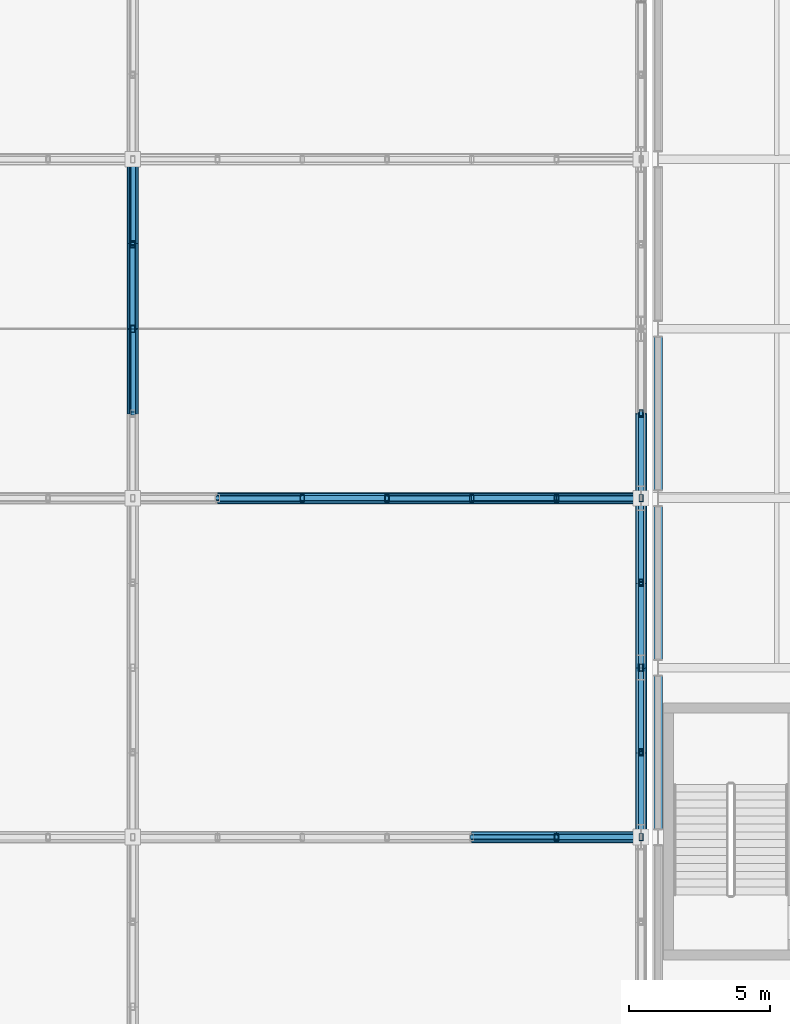
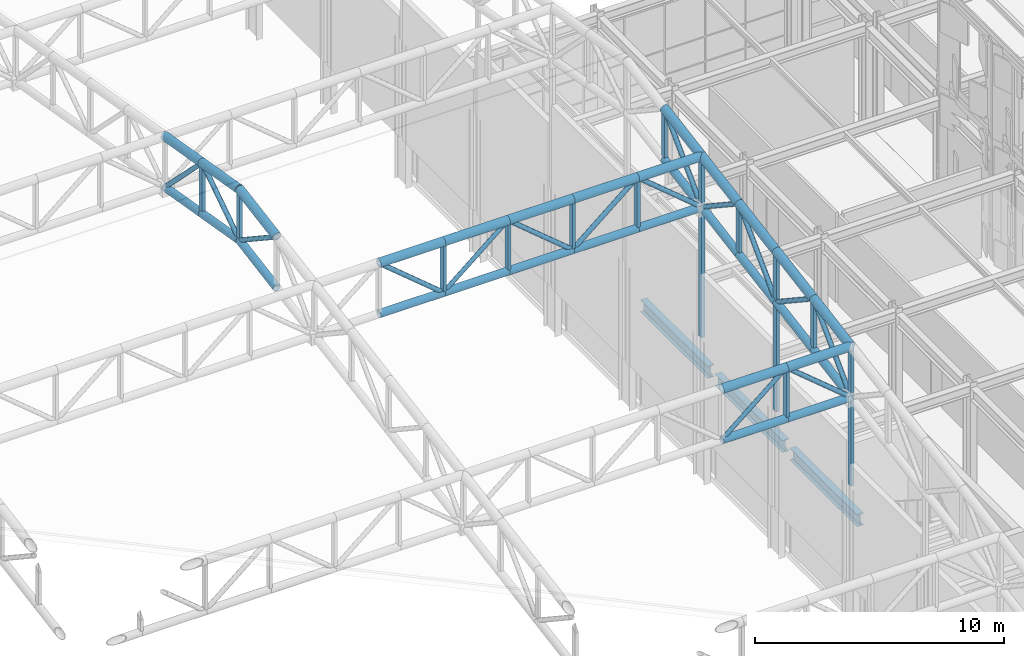
# One storey, part 117 of 239: 58 members, 3 beams.
"""IFC4 building model written with IfcOpenShell, lengths in metres."""

import ifcopenshell
import ifcopenshell.guid

model = None  # the IFC model being written
_history = None  # IfcOwnerHistory: only IFC2X3 demands one
_inside = {}  # id of a spatial element -> (the spatial element, [elements in it])
_under = {}  # id of a project, library or spatial element -> (it, [spatial elements below it])
_declared = {}  # id of a project -> (the project, [libraries it declares])
_typed = {}  # id of a type object -> (the type object, [elements of that type])
_made_of = {}  # id of a material, layer set ... -> (it, [elements and type objects made of it])


def new_model(schema):
    """Start an empty IFC model of exactly this schema.

    Asked for "IFC4X3", IfcOpenShell would pick the latest addendum, in which some entities
    have other attributes; the version numbers below select the first issue.
    IFC2X3 requires an IfcOwnerHistory on every rooted entity: one is made here for all.
    """
    global model, _history
    if schema == "IFC4X3":
        model = ifcopenshell.file(schema_version=(4, 3, 0, 0))
    else:
        model = ifcopenshell.file(schema=schema)
    _inside.clear()
    _under.clear()
    _declared.clear()
    _typed.clear()
    _made_of.clear()
    _history = None
    if model.schema == "IFC2X3":
        org = make("IfcOrganization", Name="unknown")
        user = make(
            "IfcPersonAndOrganization",
            ThePerson=make("IfcPerson", FamilyName="unknown"),
            TheOrganization=org,
        )
        app = make(
            "IfcApplication",
            ApplicationDeveloper=org,
            Version="unknown",
            ApplicationFullName="unknown",
            ApplicationIdentifier="unknown",
        )
        _history = make(
            "IfcOwnerHistory",
            OwningUser=user,
            OwningApplication=app,
            ChangeAction="ADDED",
            CreationDate=0,
        )
    return model


def make(cls, **values):
    """One entity of the class cls with the attributes given. An attribute that is None is left unset."""
    return model.create_entity(
        cls, **{name: value for name, value in values.items() if value is not None}
    )


def rooted(cls, **values):
    """An entity with a GlobalId (a new one), such as an element, a storey or a relation."""
    return make(cls, GlobalId=ifcopenshell.guid.new(), OwnerHistory=_history, **values)


def si_unit(unit_type, name, prefix=None):
    """IfcSIUnit, for example si_unit("LENGTHUNIT", "METRE", prefix="MILLI")."""
    return make("IfcSIUnit", UnitType=unit_type, Prefix=prefix, Name=name)


def assignment(units):
    """IfcUnitAssignment: the units of a project."""
    return None if units is None else make("IfcUnitAssignment", Units=units)


def point(xyz):
    """IfcCartesianPoint."""
    return None if xyz is None else make("IfcCartesianPoint", Coordinates=xyz)


def direction(xyz):
    """IfcDirection."""
    return None if xyz is None else make("IfcDirection", DirectionRatios=xyz)


def frame(location, z_axis=None, x_axis=None):
    """IfcAxis2Placement3D, a coordinate frame: its origin and axes. An axis left out is left unset."""
    return make(
        "IfcAxis2Placement3D",
        Location=point(location),
        Axis=direction(z_axis),
        RefDirection=direction(x_axis),
    )


def frame_2d(location, x_axis=None):
    """IfcAxis2Placement2D, a coordinate frame in the plane: its origin and x axis."""
    return make(
        "IfcAxis2Placement2D", Location=point(location), RefDirection=direction(x_axis)
    )


def origin():
    """The frame at (0, 0, 0) with its axes left unset."""
    return frame((0.0, 0.0, 0.0))


def origin_2d():
    """The frame at (0, 0) in the plane with its x axis left unset."""
    return frame_2d((0.0, 0.0))


def place(relative_to, where):
    """IfcLocalPlacement: puts the frame where relative to a parent placement (None: the world)."""
    return make(
        "IfcLocalPlacement", PlacementRelTo=relative_to, RelativePlacement=where
    )


def context(
    kind, dimensions, precision=None, world=None, true_north=None, identifier=None
):
    """IfcGeometricRepresentationContext, for example the 3D "Model" context."""
    return make(
        "IfcGeometricRepresentationContext",
        ContextIdentifier=identifier,
        ContextType=kind,
        CoordinateSpaceDimension=dimensions,
        Precision=precision,
        WorldCoordinateSystem=world,
        TrueNorth=true_north,
    )


def subcontext(parent, identifier, kind, view, scale=None):
    """IfcGeometricRepresentationSubContext, for example "Body" below "Model"."""
    return make(
        "IfcGeometricRepresentationSubContext",
        ContextIdentifier=identifier,
        ContextType=kind,
        ParentContext=parent,
        TargetScale=scale,
        TargetView=view,
    )


def project(units=None, contexts=None):
    """IfcProject with its units and contexts."""
    return rooted(
        "IfcProject",
        Name="project",
        RepresentationContexts=contexts,
        UnitsInContext=assignment(units),
    )


def spatial(cls, under=None, at=None, **own):
    """A site, building, storey or space (cls), placed at a placement, below another one or the project."""
    s = rooted(cls, ObjectPlacement=at, **own)
    if under is not None:
        _under.setdefault(under.id(), (under, []))[1].append(s)
    return s


def profile(cls, at=None, kind="AREA", **sizes):
    """A parametric profile (cls). Its sizes go by their IFC names, for example OverallWidth=200.0."""
    return make(cls, ProfileType=kind, Position=at, **sizes)


def hollow_rectangle(**sizes):
    """IfcRectangleHollowProfileDef."""
    return profile("IfcRectangleHollowProfileDef", **sizes)


def hollow_circle(**sizes):
    """IfcCircleHollowProfileDef."""
    return profile("IfcCircleHollowProfileDef", **sizes)


def i_section(**sizes):
    """IfcIShapeProfileDef."""
    return profile("IfcIShapeProfileDef", **sizes)


def extrude(swept, where, along, depth):
    """IfcExtrudedAreaSolid: the profile swept, set in the frame where, extruded along a direction by depth."""
    return make(
        "IfcExtrudedAreaSolid",
        SweptArea=swept,
        Position=where,
        ExtrudedDirection=direction(along),
        Depth=depth,
    )


def shape(context_of_items, identifier, shape_type, items):
    """IfcShapeRepresentation: the items that make up one representation, for example the "Body"."""
    return make(
        "IfcShapeRepresentation",
        ContextOfItems=context_of_items,
        RepresentationIdentifier=identifier,
        RepresentationType=shape_type,
        Items=items,
    )


def material(Name=None, Category=None):
    """IfcMaterial."""
    return make("IfcMaterial", Name=Name, Category=Category)


def material_profile(
    of_material, cross_section, Name=None, Category=None, Priority=None
):
    """IfcMaterialProfile: a cross section and its material."""
    return make(
        "IfcMaterialProfile",
        Name=Name,
        Material=of_material,
        Profile=cross_section,
        Priority=Priority,
        Category=Category,
    )


def profile_set(profiles, Name=None, composite=None):
    """IfcMaterialProfileSet."""
    return make(
        "IfcMaterialProfileSet",
        Name=Name,
        MaterialProfiles=profiles,
        CompositeProfile=composite,
    )


def made_of(thing, what):
    """Note that an element or type object is made of a material, layer set ...; save() writes the relation."""
    if what is not None:
        _made_of.setdefault(what.id(), (what, []))[1].append(thing)
    return thing


def type_object(cls, material=None, **own):
    """A type object (cls), such as IfcWallType, which elements share."""
    return made_of(rooted(cls, **own), material)


def element(
    cls,
    number,
    at=None,
    inside=None,
    cuts=None,
    type_object=None,
    material=None,
    context=None,
    identifier="Body",
    shape_type=None,
    held_by="IfcProductDefinitionShape",
    body=None,
    shapes=None,
    **own,
):
    """One element of the class cls, such as IfcWall. Its Tag is "e" and its number.

    at: its placement. inside: the storey or other place that contains it. cuts: it is an
    opening in that element (IfcRelVoidsElement). A single representation is given by context,
    identifier, shape_type and body (its items); several are given by shapes. held_by: the class
    of the entity that holds the representations. save() writes the other relations.
    """
    e = rooted(cls, Tag="e%d" % number, ObjectPlacement=at, **own)
    if body is not None:
        shapes = [shape(context, identifier, shape_type, body)]
    if shapes is not None:
        e.Representation = make(held_by, Representations=shapes)
    if inside is not None:
        _inside.setdefault(inside.id(), (inside, []))[1].append(e)
    if cuts is not None:
        rooted(
            "IfcRelVoidsElement", RelatingBuildingElement=cuts, RelatedOpeningElement=e
        )
    if type_object is not None:
        _typed.setdefault(type_object.id(), (type_object, []))[1].append(e)
    return made_of(e, material)


def aggregate(whole, parts):
    """IfcRelAggregates: a whole, such as a stair, and the parts it consists of."""
    return rooted("IfcRelAggregates", RelatingObject=whole, RelatedObjects=parts)


def save(model, path):
    """Write the relations noted so far, then the file.

    IfcRelAggregates (storeys below a building ...), IfcRelContainedInSpatialStructure (elements
    in a storey), IfcRelDefinesByType, IfcRelAssociatesMaterial and IfcRelDeclares: one each for
    every whole, place, type object, material and project.
    """
    for whole, parts in _under.values():
        aggregate(whole, parts)
    for where, things in _inside.values():
        rooted(
            "IfcRelContainedInSpatialStructure",
            RelatedElements=things,
            RelatingStructure=where,
        )
    for kind, things in _typed.values():
        rooted("IfcRelDefinesByType", RelatedObjects=things, RelatingType=kind)
    for what, things in _made_of.values():
        rooted("IfcRelAssociatesMaterial", RelatedObjects=things, RelatingMaterial=what)
    for by, libraries in _declared.values():
        rooted("IfcRelDeclares", RelatingContext=by, RelatedDefinitions=libraries)
    model.write(path)


model = new_model("IFC4")

# Units and contexts
model_context = context("Model", 3, precision=1e-05, world=origin(), true_north=direction((0.0, 1.0)))
body_context = subcontext(model_context, "Body", "Model", "MODEL_VIEW")
ifc_project = project(units=[si_unit("LENGTHUNIT", "METRE"), si_unit("AREAUNIT", "SQUARE_METRE"), si_unit("VOLUMEUNIT", "CUBIC_METRE"), si_unit("PLANEANGLEUNIT", "RADIAN"), si_unit("MASSUNIT", "GRAM", prefix="KILO")], contexts=[model_context])

# Site, building, storey
site_placement = place(None, origin())
site = spatial("IfcSite", under=ifc_project, at=site_placement, CompositionType="ELEMENT")
building_placement = place(site_placement, origin())
building = spatial("IfcBuilding", under=site, at=building_placement, Name="Kaldris Quays Convention Centre", CompositionType="ELEMENT")
storey_placement = place(building_placement, frame((0.0, 0.0, 11.39990234375)))
storey = spatial("IfcBuildingStorey", under=building, at=storey_placement, Name="L02", CompositionType="ELEMENT", Elevation=11.39990234375)

# Beams
ifc_material_1 = material(Name="Steel S355J2", Category="steel")
ifc_material_profile_1 = material_profile(ifc_material_1, i_section(OverallWidth=0.300048828125, OverallDepth=0.590087890625, WebThickness=0.012939453125, FlangeThickness=0.02490234375, FilletRadius=0.027099609375, at=origin_2d()), Name="HEA 600")
ifc_profile_set_1 = profile_set([ifc_material_profile_1], Name="Steel S355J2")
beam_type = type_object("IfcBeamType", Name="STRUCTURAL BEAM BM08", PredefinedType="BEAM", material=ifc_profile_set_1)
for number, where, z_axis, x_axis, name in (
    (1, (146.60009765625, 80.2939453125, 4.8681640625), (0.0, 1.0, 0.0), (-1.0, 0.0, 0.0), "L02 Girder BM08 72"),
    (2, (146.60009765625, 86.2939453125, 4.8681640625), (0.0, 1.0, 0.0), (-1.0, 0.0, 0.0), "L02 Girder BM08 73"),
    (3, (146.60009765625, 92.2939453125, 4.8681640625), (0.0, 1.0, 0.0), (-1.0, 0.0, 0.0), "L02 Girder BM08 74"),
):
    element("IfcBeam", number, at=place(storey_placement, frame(where, z_axis=z_axis, x_axis=x_axis)), inside=storey, type_object=beam_type, Name=name, PredefinedType="BEAM", context=body_context, shape_type="SweptSolid", body=[
        extrude(i_section(OverallWidth=0.300048828125, OverallDepth=0.590087890625, WebThickness=0.012939453125, FlangeThickness=0.02490234375, FilletRadius=0.027099609375, at=origin_2d()), origin(), (0.0, 0.0, 1.0), 5.412109375),
    ])

# Members
ifc_material_2 = material(Name="Steel S355J2H", Category="steel")
ifc_material_profile_2 = material_profile(ifc_material_2, hollow_circle(Radius=0.203125, WallThickness=0.01611328125, at=origin_2d()), Name="CHS 406.4x16")
ifc_profile_set_2 = profile_set([ifc_material_profile_2], Name="Steel S355J2H")
member_type_1 = type_object("IfcMemberType", Name="STRUCTURAL MEMBER SC01", PredefinedType="CHORD", material=ifc_profile_set_2)
for number, where, z_axis, x_axis, name in (
    (4, (140.0, 80.0, 13.7861328125), (1.0, 0.0, 0.0), (0.0, 1.0, 0.0), "SF-V1 Top Chord X 125"),
    (5, (143.0, 80.0, 13.7861328125), (1.0, 0.0, 0.0), (0.0, 1.0, 0.0), "SF-V1 Top Chord X 126"),
    (6, (131.0, 92.0, 15.84326171875), (1.0, 0.0, 0.0), (0.0, 1.0, 0.0), "SF-V1 Top Chord X 164"),
    (7, (134.0, 92.0, 15.84326171875), (1.0, 0.0, 0.0), (0.0, 1.0, 0.0), "SF-V1 Top Chord X 165"),
    (8, (137.0, 92.0, 15.84326171875), (1.0, 0.0, 0.0), (0.0, 1.0, 0.0), "SF-V1 Top Chord X 166"),
    (9, (140.0, 92.0, 15.84326171875), (1.0, 0.0, 0.0), (0.0, 1.0, 0.0), "SF-V1 Top Chord X 167"),
    (10, (143.0, 92.0, 15.84326171875), (1.0, 0.0, 0.0), (0.0, 1.0, 0.0), "SF-V1 Top Chord X 168"),
):
    element("IfcMember", number, at=place(storey_placement, frame(where, z_axis=z_axis, x_axis=x_axis)), inside=storey, type_object=member_type_1, Name=name, PredefinedType="CHORD", context=body_context, shape_type="SweptSolid", body=[
        extrude(hollow_circle(Radius=0.203125, WallThickness=0.01611328125, at=origin_2d()), origin(), (0.0, 0.0, 1.0), 3.0),
    ])
for number, where, z_axis, x_axis, name in (
    (11, (128.0, 95.0, 16.357666015625), (0.0, 0.98562912375, 0.168923741424), (-1.0, 0.0, 0.0), "SF-V1 Top Chord Y 518"),
    (12, (128.0, 98.0, 16.871826171875), (0.0, 0.98562912375, -0.168923741424), (-1.0, 0.0, 0.0), "SF-V1 Top Chord Y 519"),
    (13, (128.0, 101.0, 16.357666015625), (0.0, 0.985615766076, -0.169001661712), (-1.0, 0.0, 0.0), "SF-V1 Top Chord Y 520"),
    (14, (146.0, 80.0, 13.7861328125), (0.0, 0.985615766076, 0.169001661712), (-1.0, 0.0, 0.0), "SF-V1 Top Chord Y 541"),
    (15, (146.0, 83.0, 14.300537109375), (0.0, 0.98562912375, 0.168923741424), (-1.0, 0.0, 0.0), "SF-V1 Top Chord Y 542"),
    (16, (146.0, 86.0, 14.814697265625), (0.0, 0.985615766076, 0.169001661712), (-1.0, 0.0, 0.0), "SF-V1 Top Chord Y 543"),
    (17, (146.0, 89.0, 15.3291015625), (0.0, 0.98562912375, 0.168923741424), (-1.0, 0.0, 0.0), "SF-V1 Top Chord Y 544"),
    (18, (146.0, 92.0, 15.84326171875), (0.0, 0.985615766076, 0.169001661712), (-1.0, 0.0, 0.0), "SF-V1 Top Chord Y 545"),
):
    element("IfcMember", number, at=place(storey_placement, frame(where, z_axis=z_axis, x_axis=x_axis)), inside=storey, type_object=member_type_1, Name=name, PredefinedType="CHORD", context=body_context, shape_type="SweptSolid", body=[
        extrude(hollow_circle(Radius=0.203125, WallThickness=0.01611328125, at=origin_2d()), origin(), (0.0, 0.0, 1.0), 3.043701171875),
    ])
ifc_material_profile_3 = material_profile(ifc_material_2, hollow_circle(Radius=0.177734375, WallThickness=0.01611328125, at=origin_2d()), Name="CHS 355.6x16")
ifc_profile_set_3 = profile_set([ifc_material_profile_3], Name="Steel S355J2H")
member_type_2 = type_object("IfcMemberType", Name="STRUCTURAL MEMBER SC02", PredefinedType="CHORD", material=ifc_profile_set_3)
for number, where, z_axis, x_axis, name in (
    (19, (140.0, 80.0, 11.2861328125), (1.0, 0.0, 0.0), (0.0, 1.0, 0.0), "SF-V1 Bottom Chord X 125"),
    (20, (143.0, 80.0, 11.2861328125), (1.0, 0.0, 0.0), (0.0, 1.0, 0.0), "SF-V1 Bottom Chord X 126"),
    (21, (131.0, 92.0, 13.34326171875), (1.0, 0.0, 0.0), (0.0, 1.0, 0.0), "SF-V1 Bottom Chord X 164"),
    (22, (134.0, 92.0, 13.34326171875), (1.0, 0.0, 0.0), (0.0, 1.0, 0.0), "SF-V1 Bottom Chord X 165"),
    (23, (137.0, 92.0, 13.34326171875), (1.0, 0.0, 0.0), (0.0, 1.0, 0.0), "SF-V1 Bottom Chord X 166"),
    (24, (140.0, 92.0, 13.34326171875), (1.0, 0.0, 0.0), (0.0, 1.0, 0.0), "SF-V1 Bottom Chord X 167"),
    (25, (143.0, 92.0, 13.34326171875), (1.0, 0.0, 0.0), (0.0, 1.0, 0.0), "SF-V1 Bottom Chord X 168"),
):
    element("IfcMember", number, at=place(storey_placement, frame(where, z_axis=z_axis, x_axis=x_axis)), inside=storey, type_object=member_type_2, Name=name, PredefinedType="CHORD", context=body_context, shape_type="SweptSolid", body=[
        extrude(hollow_circle(Radius=0.177734375, WallThickness=0.01611328125, at=origin_2d()), origin(), (0.0, 0.0, 1.0), 3.0),
    ])
for number, where, z_axis, x_axis, name in (
    (26, (128.0, 95.0, 13.857666015625), (0.0, 0.98562912375, 0.168923741424), (-1.0, 0.0, 0.0), "SF-V1 Bottom Chord Y 518"),
    (27, (128.0, 98.0, 14.371826171875), (0.0, 0.98562912375, -0.168923741424), (-1.0, 0.0, 0.0), "SF-V1 Bottom Chord Y 519"),
    (28, (128.0, 101.0, 13.857666015625), (0.0, 0.985615766076, -0.169001661712), (-1.0, 0.0, 0.0), "SF-V1 Bottom Chord Y 520"),
    (29, (146.0, 80.0, 11.2861328125), (0.0, 0.985615766076, 0.169001661712), (-1.0, 0.0, 0.0), "SF-V1 Bottom Chord Y 541"),
    (30, (146.0, 83.0, 11.800537109375), (0.0, 0.98562912375, 0.168923741424), (-1.0, 0.0, 0.0), "SF-V1 Bottom Chord Y 542"),
    (31, (146.0, 86.0, 12.314697265625), (0.0, 0.985615766076, 0.169001661712), (-1.0, 0.0, 0.0), "SF-V1 Bottom Chord Y 543"),
    (32, (146.0, 89.0, 12.8291015625), (0.0, 0.98562912375, 0.168923741424), (-1.0, 0.0, 0.0), "SF-V1 Bottom Chord Y 544"),
    (33, (146.0, 92.0, 13.34326171875), (0.0, 0.985615766076, 0.169001661712), (-1.0, 0.0, 0.0), "SF-V1 Bottom Chord Y 545"),
):
    element("IfcMember", number, at=place(storey_placement, frame(where, z_axis=z_axis, x_axis=x_axis)), inside=storey, type_object=member_type_2, Name=name, PredefinedType="CHORD", context=body_context, shape_type="SweptSolid", body=[
        extrude(hollow_circle(Radius=0.177734375, WallThickness=0.01611328125, at=origin_2d()), origin(), (0.0, 0.0, 1.0), 3.043701171875),
    ])
ifc_material_profile_4 = material_profile(ifc_material_2, hollow_circle(Radius=0.109619140625, WallThickness=0.010009765625, at=origin_2d()), Name="CHS 219.1x10")
ifc_profile_set_4 = profile_set([ifc_material_profile_4], Name="Steel S355J2H")
member_type_3 = type_object("IfcMemberType", Name="STRUCTURAL MEMBER SWB1", PredefinedType="BRACE", material=ifc_profile_set_4)
for number, where, z_axis, x_axis, name in (
    (34, (146.0, 80.0, 11.2861328125), (-0.768221279597, 0.0, 0.640184399664), (0.0, -1.0, 0.0), "SF-V1 Web Diagonal X 126"),
    (35, (134.0, 92.0, 13.34326171875), (-0.768221279597, 0.0, 0.640184399664), (0.0, -1.0, 0.0), "SF-V1 Web Diagonal X 164"),
    (36, (140.0, 92.0, 13.34326171875), (-0.768221279597, 0.0, 0.640184399664), (0.0, -1.0, 0.0), "SF-V1 Web Diagonal X 166"),
    (37, (140.0, 92.0, 13.34326171875), (0.768221279597, 0.0, 0.640184399664), (0.0, 1.0, 0.0), "SF-V1 Web Diagonal X 167"),
    (38, (146.0, 92.0, 13.34326171875), (-0.768221279597, 0.0, 0.640184399664), (0.0, -1.0, 0.0), "SF-V1 Web Diagonal X 168"),
):
    element("IfcMember", number, at=place(storey_placement, frame(where, z_axis=z_axis, x_axis=x_axis)), inside=storey, type_object=member_type_3, Name=name, PredefinedType="BRACE", context=body_context, shape_type="SweptSolid", body=[
        extrude(hollow_circle(Radius=0.109619140625, WallThickness=0.010009765625, at=origin_2d()), origin(), (0.0, 0.0, 1.0), 3.905029296875),
    ])
for number, where, z_axis, x_axis, name in (
    (39, (128.0, 98.0, 14.371826171875), (0.0, -0.833862389808, 0.551972385962), (1.0, 0.0, 0.0), "SF-V1 Web Diagonal Y 518"),
    (40, (128.0, 98.0, 14.371826171875), (0.0, 0.833862389808, 0.551972385962), (-1.0, 0.0, 0.0), "SF-V1 Web Diagonal Y 519"),
):
    element("IfcMember", number, at=place(storey_placement, frame(where, z_axis=z_axis, x_axis=x_axis)), inside=storey, type_object=member_type_3, Name=name, PredefinedType="BRACE", context=body_context, shape_type="SweptSolid", body=[
        extrude(hollow_circle(Radius=0.109619140625, WallThickness=0.010009765625, at=origin_2d()), origin(), (0.0, 0.0, 1.0), 3.59765625),
    ])
for number, where, z_axis, x_axis, name in (
    (41, (128.0, 104.0, 13.34326171875), (0.0, -0.705411261057, 0.708798245465), (1.0, 0.0, 0.0), "SF-V1 Web Diagonal Y 520"),
    (42, (146.0, 80.0, 11.2861328125), (0.0, 0.705411261057, 0.708798245465), (-1.0, 0.0, 0.0), "SF-V1 Web Diagonal Y 541"),
):
    element("IfcMember", number, at=place(storey_placement, frame(where, z_axis=z_axis, x_axis=x_axis)), inside=storey, type_object=member_type_3, Name=name, PredefinedType="BRACE", context=body_context, shape_type="SweptSolid", body=[
        extrude(hollow_circle(Radius=0.109619140625, WallThickness=0.010009765625, at=origin_2d()), origin(), (0.0, 0.0, 1.0), 4.2529296875),
    ])
member_1_placement = place(storey_placement, frame((146.0, 86.0, 12.314697265625), z_axis=(0.0, -0.833862389808, 0.551972385962), x_axis=(1.0, 0.0, 0.0)))
element("IfcMember", 43, at=member_1_placement, inside=storey, type_object=member_type_3, Name="SF-V1 Web Diagonal Y 542", PredefinedType="BRACE", context=body_context, shape_type="SweptSolid", body=[
    extrude(hollow_circle(Radius=0.109619140625, WallThickness=0.010009765625, at=origin_2d()), origin(), (0.0, 0.0, 1.0), 3.59765625),
])
member_2_placement = place(storey_placement, frame((146.0, 86.0, 12.314697265625), z_axis=(0.0, 0.705411261057, 0.708798245465), x_axis=(-1.0, 0.0, 0.0)))
element("IfcMember", 44, at=member_2_placement, inside=storey, type_object=member_type_3, Name="SF-V1 Web Diagonal Y 543", PredefinedType="BRACE", context=body_context, shape_type="SweptSolid", body=[
    extrude(hollow_circle(Radius=0.109619140625, WallThickness=0.010009765625, at=origin_2d()), origin(), (0.0, 0.0, 1.0), 4.2529296875),
])
member_3_placement = place(storey_placement, frame((146.0, 92.0, 13.34326171875), z_axis=(0.0, -0.833862389808, 0.551972385962), x_axis=(1.0, 0.0, 0.0)))
element("IfcMember", 45, at=member_3_placement, inside=storey, type_object=member_type_3, Name="SF-V1 Web Diagonal Y 544", PredefinedType="BRACE", context=body_context, shape_type="SweptSolid", body=[
    extrude(hollow_circle(Radius=0.109619140625, WallThickness=0.010009765625, at=origin_2d()), origin(), (0.0, 0.0, 1.0), 3.59765625),
])
member_4_placement = place(storey_placement, frame((146.0, 92.0, 13.34326171875), z_axis=(0.0, 0.705411261057, 0.708798245465), x_axis=(-1.0, 0.0, 0.0)))
element("IfcMember", 46, at=member_4_placement, inside=storey, type_object=member_type_3, Name="SF-V1 Web Diagonal Y 545", PredefinedType="BRACE", context=body_context, shape_type="SweptSolid", body=[
    extrude(hollow_circle(Radius=0.109619140625, WallThickness=0.010009765625, at=origin_2d()), origin(), (0.0, 0.0, 1.0), 4.2529296875),
])
ifc_material_profile_5 = material_profile(ifc_material_2, hollow_circle(Radius=0.096923828125, WallThickness=0.008056640625, at=origin_2d()), Name="CHS 193.7x8")
ifc_profile_set_5 = profile_set([ifc_material_profile_5], Name="Steel S355J2H")
member_type_4 = type_object("IfcMemberType", Name="STRUCTURAL MEMBER SWB3", PredefinedType="BRACE", material=ifc_profile_set_5)
for number, where, z_axis, x_axis, name in (
    (47, (140.0, 80.0, 11.2861328125), (0.768221279597, 0.0, 0.640184399664), (0.0, 1.0, 0.0), "SF-V1 Web Diagonal X 125"),
    (48, (134.0, 92.0, 13.34326171875), (0.768221279597, 0.0, 0.640184399664), (0.0, 1.0, 0.0), "SF-V1 Web Diagonal X 165"),
):
    element("IfcMember", number, at=place(storey_placement, frame(where, z_axis=z_axis, x_axis=x_axis)), inside=storey, type_object=member_type_4, Name=name, PredefinedType="BRACE", context=body_context, shape_type="SweptSolid", body=[
        extrude(hollow_circle(Radius=0.096923828125, WallThickness=0.008056640625, at=origin_2d()), origin(), (0.0, 0.0, 1.0), 3.905029296875),
    ])
ifc_material_profile_6 = material_profile(ifc_material_2, hollow_rectangle(XDim=0.14990234375, YDim=0.25, WallThickness=0.010009765625, at=origin_2d()), Name="RHS 250x150x10")
ifc_profile_set_6 = profile_set([ifc_material_profile_6], Name="Steel S355J2H")
member_type_5 = type_object("IfcMemberType", Name="STRUCTURAL MEMBER TTV1", PredefinedType="POST", material=ifc_profile_set_6)
for number, where, z_axis, x_axis, name in (
    (49, (128.0, 98.0, 14.371826171875), (0.0, 0.0, 1.0), (1.0, 0.0, 0.0), "SF-V1 Space-Frame Post 429"),
    (50, (128.0, 101.0, 13.857666015625), (0.0, 0.0, 1.0), (1.0, 0.0, 0.0), "SF-V1 Space-Frame Post 430"),
    (51, (134.0, 92.0, 13.34326171875), (0.0, 0.0, 1.0), (1.0, 0.0, 0.0), "SF-V1 Space-Frame Post 455"),
    (52, (137.0, 92.0, 13.34326171875), (0.0, 0.0, 1.0), (1.0, 0.0, 0.0), "SF-V1 Space-Frame Post 463"),
    (53, (140.0, 92.0, 13.34326171875), (0.0, 0.0, 1.0), (1.0, 0.0, 0.0), "SF-V1 Space-Frame Post 471"),
    (54, (143.0, 80.0, 11.2861328125), (0.0, 0.0, 1.0), (1.0, 0.0, 0.0), "SF-V1 Space-Frame Post 478"),
    (55, (143.0, 92.0, 13.34326171875), (0.0, 0.0, 1.0), (1.0, 0.0, 0.0), "SF-V1 Space-Frame Post 479"),
):
    element("IfcMember", number, at=place(storey_placement, frame(where, z_axis=z_axis, x_axis=x_axis)), inside=storey, type_object=member_type_5, Name=name, PredefinedType="POST", context=body_context, shape_type="SweptSolid", body=[
        extrude(hollow_rectangle(XDim=0.14990234375, YDim=0.25, WallThickness=0.010009765625, at=origin_2d()), origin(), (0.0, 0.0, 1.0), 2.5),
    ])
member_5_placement = place(storey_placement, frame((146.0, 80.0, 6.994140625), z_axis=(0.0, 0.0, 1.0), x_axis=(1.0, 0.0, 0.0)))
element("IfcMember", 56, at=member_5_placement, inside=storey, type_object=member_type_5, Name="SF-V1 Space-Frame Post 492", PredefinedType="POST", context=body_context, shape_type="SweptSolid", body=[
    extrude(hollow_rectangle(XDim=0.14990234375, YDim=0.25, WallThickness=0.010009765625, at=origin_2d()), origin(), (0.0, 0.0, 1.0), 6.7919921875),
])
member_6_placement = place(storey_placement, frame((146.0, 83.0, 11.800537109375), z_axis=(0.0, 0.0, 1.0), x_axis=(1.0, 0.0, 0.0)))
element("IfcMember", 57, at=member_6_placement, inside=storey, type_object=member_type_5, Name="SF-V1 Space-Frame Post 493", PredefinedType="POST", context=body_context, shape_type="SweptSolid", body=[
    extrude(hollow_rectangle(XDim=0.14990234375, YDim=0.25, WallThickness=0.010009765625, at=origin_2d()), origin(), (0.0, 0.0, 1.0), 2.5),
])
member_7_placement = place(storey_placement, frame((146.0, 86.0, 6.994140625), z_axis=(0.0, 0.0, 1.0), x_axis=(1.0, 0.0, 0.0)))
element("IfcMember", 58, at=member_7_placement, inside=storey, type_object=member_type_5, Name="SF-V1 Space-Frame Post 494", PredefinedType="POST", context=body_context, shape_type="SweptSolid", body=[
    extrude(hollow_rectangle(XDim=0.14990234375, YDim=0.25, WallThickness=0.010009765625, at=origin_2d()), origin(), (0.0, 0.0, 1.0), 7.820556640625),
])
member_8_placement = place(storey_placement, frame((146.0, 89.0, 12.8291015625), z_axis=(0.0, 0.0, 1.0), x_axis=(1.0, 0.0, 0.0)))
element("IfcMember", 59, at=member_8_placement, inside=storey, type_object=member_type_5, Name="SF-V1 Space-Frame Post 495", PredefinedType="POST", context=body_context, shape_type="SweptSolid", body=[
    extrude(hollow_rectangle(XDim=0.14990234375, YDim=0.25, WallThickness=0.010009765625, at=origin_2d()), origin(), (0.0, 0.0, 1.0), 2.5),
])
member_9_placement = place(storey_placement, frame((146.0, 92.0, 6.994140625), z_axis=(0.0, 0.0, 1.0), x_axis=(1.0, 0.0, 0.0)))
element("IfcMember", 60, at=member_9_placement, inside=storey, type_object=member_type_5, Name="SF-V1 Space-Frame Post 496", PredefinedType="POST", context=body_context, shape_type="SweptSolid", body=[
    extrude(hollow_rectangle(XDim=0.14990234375, YDim=0.25, WallThickness=0.010009765625, at=origin_2d()), origin(), (0.0, 0.0, 1.0), 8.84912109375),
])
member_10_placement = place(storey_placement, frame((146.0, 95.0, 13.857666015625), z_axis=(0.0, 0.0, 1.0), x_axis=(1.0, 0.0, 0.0)))
element("IfcMember", 61, at=member_10_placement, inside=storey, type_object=member_type_5, Name="SF-V1 Space-Frame Post 497", PredefinedType="POST", context=body_context, shape_type="SweptSolid", body=[
    extrude(hollow_rectangle(XDim=0.14990234375, YDim=0.25, WallThickness=0.010009765625, at=origin_2d()), origin(), (0.0, 0.0, 1.0), 2.5),
])

save(model, "model.ifc")
